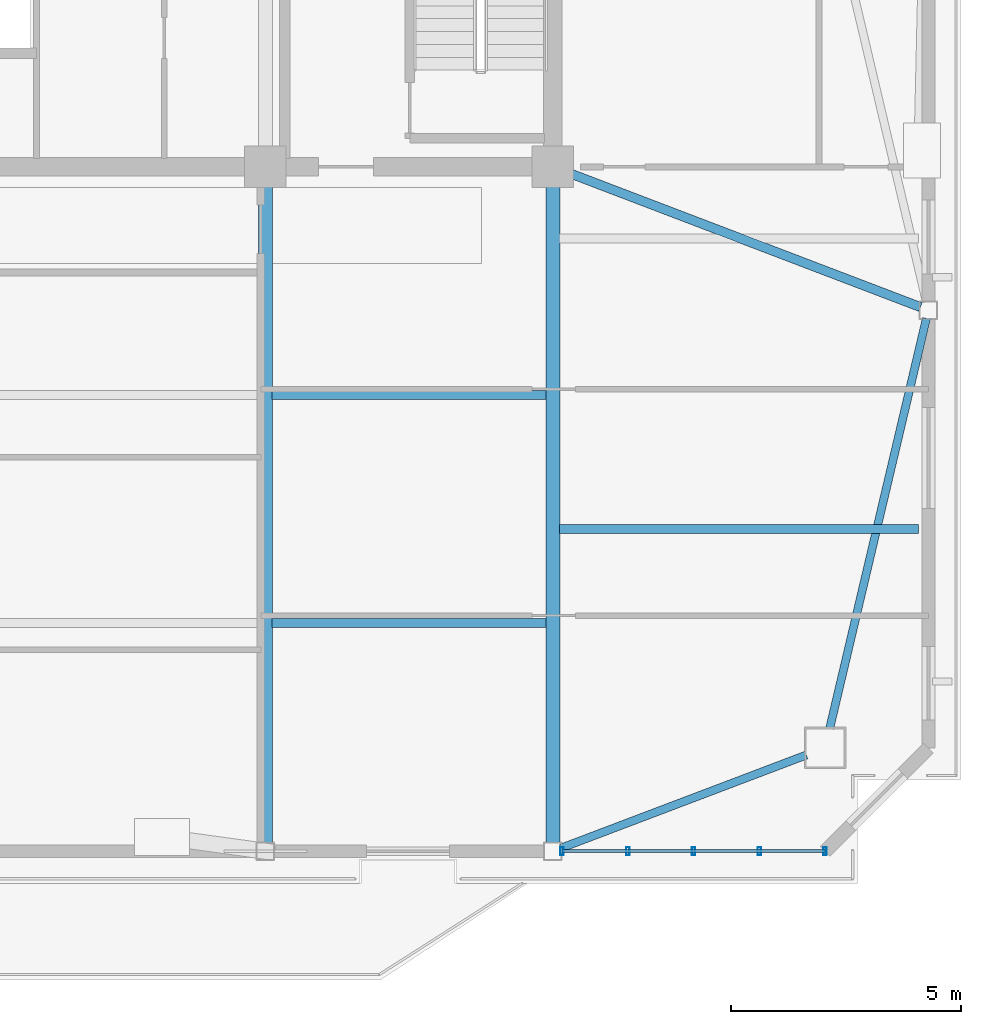
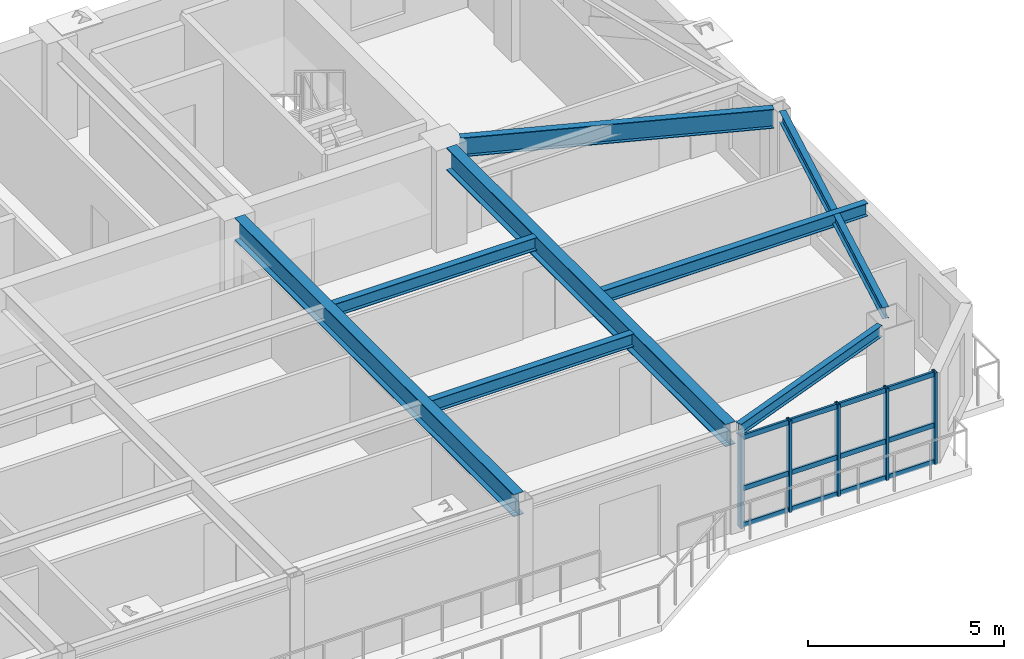
# One storey, part 4 of 13: 8 beams, 8 members, 1 element without a shape of its own.
"""IFC4 building model written with IfcOpenShell, lengths in metres."""

from ifc_helpers import new_model, si_unit, direction, frame, origin, origin_2d, place, context, subcontext, project, spatial, hollow_rectangle, i_section, extrude, source, transform, mapped, material, layer, layer_set, material_profile, profile_set, type_object, element, aggregate, save


model = new_model("IFC4")

# Units and contexts
model_context = context("Model", 3, precision=1e-05, world=origin(), true_north=direction((0.0, 1.0)))
body_context = subcontext(model_context, "Body", "Model", "MODEL_VIEW")
ifc_project = project(units=[si_unit("LENGTHUNIT", "METRE"), si_unit("AREAUNIT", "SQUARE_METRE"), si_unit("VOLUMEUNIT", "CUBIC_METRE"), si_unit("PLANEANGLEUNIT", "RADIAN"), si_unit("MASSUNIT", "GRAM", prefix="KILO")], contexts=[model_context])

# Site, building, storey
site_placement = place(None, origin())
site = spatial("IfcSite", under=ifc_project, at=site_placement, CompositionType="ELEMENT")
building_placement = place(site_placement, origin())
building = spatial("IfcBuilding", under=site, at=building_placement, Name="Giltprow Tower", CompositionType="ELEMENT")
storey_placement = place(building_placement, frame((0.0, 0.0, 335.699951171875)))
storey = spatial("IfcBuildingStorey", under=building, at=storey_placement, Name="L87", CompositionType="ELEMENT", Elevation=335.699951171875)

# Beams
ifc_material_1 = material(Name="Structural steel Q355B", Category="steel")
ifc_material_profile_1 = material_profile(ifc_material_1, i_section(OverallWidth=0.199951171875, OverallDepth=0.39990234375, WebThickness=0.008056640625, FlangeThickness=0.012939453125, at=origin_2d()), Name="HN 400x200x8x13")
ifc_profile_set_1 = profile_set([ifc_material_profile_1], Name="Structural steel Q355B")
beam_type_1 = type_object("IfcBeamType", Name="BM-JOIST-HN400", PredefinedType="JOIST", material=ifc_profile_set_1)
shared_shape_1 = source(origin(), body_context, "Body", "SweptSolid", [
    extrude(i_section(OverallWidth=0.199951171875, OverallDepth=0.39990234375, WebThickness=0.008056640625, FlangeThickness=0.012939453125, at=origin_2d()), origin(), (0.0, 0.0, 1.0), 5.9599609375),
])
for number, where, z_axis, x_axis, name in (
    (1, (44.445068359375, 27.529052734375, 2.985107421875), (1.0, 0.0, 0.0), (0.0, 1.0, 0.0), "L87 Composite Floor Joist 1-4"),
    (2, (44.445068359375, 32.489013671875, 2.985107421875), (1.0, 0.0, 0.0), (0.0, 1.0, 0.0), "L87 Composite Floor Joist 2-4"),
):
    element("IfcBeam", number, at=place(storey_placement, frame(where, z_axis=z_axis, x_axis=x_axis)), inside=storey, type_object=beam_type_1, Name=name, PredefinedType="JOIST", context=body_context, shape_type="MappedRepresentation", body=[
        mapped(shared_shape_1, transform((0.0, 0.0, 0.0), x_axis=(1.0, 0.0, 0.0), y_axis=(0.0, 1.0, 0.0), z_axis=(0.0, 0.0, 1.0), scale=1.0)),
    ])
ifc_material_profile_2 = material_profile(ifc_material_1, i_section(OverallWidth=0.175048828125, OverallDepth=0.35009765625, WebThickness=0.007080078125, FlangeThickness=0.010986328125, at=origin_2d()), Name="HN 350x175x7x11")
ifc_profile_set_2 = profile_set([ifc_material_profile_2], Name="Structural steel Q355B")
beam_type_2 = type_object("IfcBeamType", Name="BM-SPAN-HN350", PredefinedType="SPANDREL", material=ifc_profile_set_2)
shared_shape_2 = source(origin(), body_context, "Body", "SweptSolid", [
    extrude(i_section(OverallWidth=0.175048828125, OverallDepth=0.35009765625, WebThickness=0.007080078125, FlangeThickness=0.010986328125, at=origin_2d()), origin(), (0.0, 0.0, 1.0), 5.71044921875),
])
beam_1_placement = place(storey_placement, frame((50.722900390625, 22.634033203125, 3.010009765625), z_axis=(0.934956945211, 0.354761202221, 0.0), x_axis=(-0.354761202221, 0.934956945211, 0.0)))
element("IfcBeam", 3, at=beam_1_placement, inside=storey, type_object=beam_type_2, Name="L87 Perimeter Spandrel Beam S4-MC_SE", PredefinedType="SPANDREL", context=body_context, shape_type="MappedRepresentation", body=[
    mapped(shared_shape_2, transform((0.0, 0.0, 0.0), x_axis=(1.0, 0.0, 0.0), y_axis=(0.0, 1.0, 0.0), z_axis=(0.0, 0.0, 1.0), scale=1.0)),
])
shared_shape_3 = source(origin(), body_context, "Body", "SweptSolid", [
    extrude(i_section(OverallWidth=0.175048828125, OverallDepth=0.35009765625, WebThickness=0.007080078125, FlangeThickness=0.010986328125, at=origin_2d()), origin(), (0.0, 0.0, 1.0), 9.161865234375),
])
beam_2_placement = place(storey_placement, frame((56.569091796875, 25.237060546875, 3.010009765625), z_axis=(0.22964825006, 0.973273692876, 0.0), x_axis=(-0.973273692876, 0.22964825006, 0.0)))
element("IfcBeam", 4, at=beam_2_placement, inside=storey, type_object=beam_type_2, Name="L87 Perimeter Spandrel Beam MC_SE-E_MID", PredefinedType="SPANDREL", context=body_context, shape_type="MappedRepresentation", body=[
    mapped(shared_shape_3, transform((0.0, 0.0, 0.0), x_axis=(1.0, 0.0, 0.0), y_axis=(0.0, 1.0, 0.0), z_axis=(0.0, 0.0, 1.0), scale=1.0)),
])
ifc_material_profile_3 = material_profile(ifc_material_1, i_section(OverallWidth=0.300048828125, OverallDepth=0.699951171875, WebThickness=0.012939453125, FlangeThickness=0.02392578125, at=origin_2d()), Name="HN 700x300x13x24")
ifc_profile_set_3 = profile_set([ifc_material_profile_3], Name="Structural steel Q355B")
beam_type_3 = type_object("IfcBeamType", Name="BM-GIRD-HN700", PredefinedType="BEAM", material=ifc_profile_set_3)
shared_shape_4 = source(origin(), body_context, "Body", "SweptSolid", [
    extrude(i_section(OverallWidth=0.300048828125, OverallDepth=0.699951171875, WebThickness=0.012939453125, FlangeThickness=0.02392578125, at=origin_2d()), origin(), (0.0, 0.0, 1.0), 14.261962890625),
])
for number, where, z_axis, x_axis, name in (
    (5, (44.300048828125, 22.7529296875, 2.8349609375), (0.0, 1.0, 0.0), (-1.0, 0.0, 0.0), "L87 Primary Lease Girder S3"),
    (6, (50.550048828125, 22.7529296875, 2.8349609375), (0.0, 1.0, 0.0), (-1.0, 0.0, 0.0), "L87 Primary Lease Girder S4"),
):
    element("IfcBeam", number, at=place(storey_placement, frame(where, z_axis=z_axis, x_axis=x_axis)), inside=storey, type_object=beam_type_3, Name=name, PredefinedType="BEAM", context=body_context, shape_type="MappedRepresentation", body=[
        mapped(shared_shape_4, transform((0.0, 0.0, 0.0), x_axis=(1.0, 0.0, 0.0), y_axis=(0.0, 1.0, 0.0), z_axis=(0.0, 0.0, 1.0), scale=1.0)),
    ])
ifc_material_profile_4 = material_profile(ifc_material_1, i_section(OverallWidth=0.199951171875, OverallDepth=0.60009765625, WebThickness=0.010986328125, FlangeThickness=0.01708984375, at=origin_2d()), Name="HN 600x200x11x17")
ifc_profile_set_4 = profile_set([ifc_material_profile_4], Name="Structural steel Q355B")
beam_type_4 = type_object("IfcBeamType", Name="BM-GIRD-HN600", PredefinedType="BEAM", material=ifc_profile_set_4)
shared_shape_5 = source(origin(), body_context, "Body", "SweptSolid", [
    extrude(i_section(OverallWidth=0.199951171875, OverallDepth=0.60009765625, WebThickness=0.010986328125, FlangeThickness=0.01708984375, at=origin_2d()), origin(), (0.0, 0.0, 1.0), 8.11962890625),
])
beam_3_placement = place(storey_placement, frame((58.5419921875, 34.39990234375, 2.885009765625), z_axis=(-0.934277035034, 0.356547923579, 0.0), x_axis=(-0.356547923579, -0.934277035034, 0.0)))
element("IfcBeam", 7, at=beam_3_placement, inside=storey, type_object=beam_type_4, Name="L87 East Wing Primary Girder", PredefinedType="BEAM", context=body_context, shape_type="MappedRepresentation", body=[
    mapped(shared_shape_5, transform((0.0, 0.0, 0.0), x_axis=(1.0, 0.0, 0.0), y_axis=(0.0, 1.0, 0.0), z_axis=(0.0, 0.0, 1.0), scale=1.0)),
])
shared_shape_6 = source(origin(), body_context, "Body", "SweptSolid", [
    extrude(i_section(OverallWidth=0.199951171875, OverallDepth=0.39990234375, WebThickness=0.008056640625, FlangeThickness=0.012939453125, at=origin_2d()), origin(), (0.0, 0.0, 1.0), 7.800048828125),
])
beam_4_placement = place(storey_placement, frame((50.695068359375, 29.573974609375, 2.985107421875), z_axis=(1.0, 0.0, 0.0), x_axis=(0.0, 1.0, 0.0)))
element("IfcBeam", 8, at=beam_4_placement, inside=storey, type_object=beam_type_1, Name="L87 East Wing Floor Joist 1", PredefinedType="JOIST", context=body_context, shape_type="MappedRepresentation", body=[
    mapped(shared_shape_6, transform((0.0, 0.0, 0.0), x_axis=(1.0, 0.0, 0.0), y_axis=(0.0, 1.0, 0.0), z_axis=(0.0, 0.0, 1.0), scale=1.0)),
])

# Curtain wall, members
ifc_material_2 = material(Name="Anodized bronze", Category="metal")
ifc_layer = layer(ifc_material_2, 0.179931640625, Name="Anodized bronze")
ifc_layer_set = layer_set([ifc_layer], Name="Anodized bronze")
curtain_wall_type = type_object("IfcCurtainWallType", Name="CW-RES-SKY", PredefinedType="NOTDEFINED", material=ifc_layer_set)
curtain_wall_placement = place(storey_placement, origin())
curtain_wall = element("IfcCurtainWall", 9, at=curtain_wall_placement, inside=storey, type_object=curtain_wall_type, Name="L87 South Recessed Curtain Wall 6", PredefinedType="NOTDEFINED")
ifc_material_profile_5 = material_profile(ifc_material_2, hollow_rectangle(XDim=0.074951171875, YDim=0.179931640625, WallThickness=0.008056640625, at=origin_2d()), Name="RHS 180x75x8")
ifc_profile_set_5 = profile_set([ifc_material_profile_5], Name="Anodized bronze")
member_type_1 = type_object("IfcMemberType", Name="CW-MULLION-180x75", PredefinedType="MULLION", material=ifc_profile_set_5)
shared_shape_7 = source(origin(), body_context, "Body", "SweptSolid", [
    extrude(hollow_rectangle(XDim=0.074951171875, YDim=0.179931640625, WallThickness=0.008056640625, at=origin_2d()), origin(), (0.0, 0.0, 1.0), 2.8701171875),
])
member_1_placement = place(storey_placement, frame((50.75, 22.568115234375, -0.02001953125), z_axis=(0.0, 0.0, 1.0), x_axis=(1.0, 0.0, 0.0)))
member_1 = element("IfcMember", 10, at=member_1_placement, type_object=member_type_1, Name="L87 South Recessed Curtain Wall 6 Mullion 1", PredefinedType="MULLION", context=body_context, shape_type="MappedRepresentation", body=[
    mapped(shared_shape_7, transform((0.0, 0.0, 0.0), x_axis=(1.0, 0.0, 0.0), y_axis=(0.0, 1.0, 0.0), z_axis=(0.0, 0.0, 1.0), scale=1.0)),
])
member_2_placement = place(storey_placement, frame((52.179931640625, 22.568115234375, -0.02001953125), z_axis=(0.0, 0.0, 1.0), x_axis=(1.0, 0.0, 0.0)))
member_2 = element("IfcMember", 11, at=member_2_placement, type_object=member_type_1, Name="L87 South Recessed Curtain Wall 6 Mullion 2", PredefinedType="MULLION", context=body_context, shape_type="MappedRepresentation", body=[
    mapped(shared_shape_7, transform((0.0, 0.0, 0.0), x_axis=(1.0, 0.0, 0.0), y_axis=(0.0, 1.0, 0.0), z_axis=(0.0, 0.0, 1.0), scale=1.0)),
])
member_3_placement = place(storey_placement, frame((53.60888671875, 22.568115234375, -0.02001953125), z_axis=(0.0, 0.0, 1.0), x_axis=(1.0, 0.0, 0.0)))
member_3 = element("IfcMember", 12, at=member_3_placement, type_object=member_type_1, Name="L87 South Recessed Curtain Wall 6 Mullion 3", PredefinedType="MULLION", context=body_context, shape_type="MappedRepresentation", body=[
    mapped(shared_shape_7, transform((0.0, 0.0, 0.0), x_axis=(1.0, 0.0, 0.0), y_axis=(0.0, 1.0, 0.0), z_axis=(0.0, 0.0, 1.0), scale=1.0)),
])
member_4_placement = place(storey_placement, frame((55.0390625, 22.568115234375, -0.02001953125), z_axis=(0.0, 0.0, 1.0), x_axis=(1.0, 0.0, 0.0)))
member_4 = element("IfcMember", 13, at=member_4_placement, type_object=member_type_1, Name="L87 South Recessed Curtain Wall 6 Mullion 4", PredefinedType="MULLION", context=body_context, shape_type="MappedRepresentation", body=[
    mapped(shared_shape_7, transform((0.0, 0.0, 0.0), x_axis=(1.0, 0.0, 0.0), y_axis=(0.0, 1.0, 0.0), z_axis=(0.0, 0.0, 1.0), scale=1.0)),
])
member_5_placement = place(storey_placement, frame((56.468994140625, 22.568115234375, -0.02001953125), z_axis=(0.0, 0.0, 1.0), x_axis=(1.0, 0.0, 0.0)))
member_5 = element("IfcMember", 14, at=member_5_placement, type_object=member_type_1, Name="L87 South Recessed Curtain Wall 6 Mullion 5", PredefinedType="MULLION", context=body_context, shape_type="MappedRepresentation", body=[
    mapped(shared_shape_7, transform((0.0, 0.0, 0.0), x_axis=(1.0, 0.0, 0.0), y_axis=(0.0, 1.0, 0.0), z_axis=(0.0, 0.0, 1.0), scale=1.0)),
])
ifc_material_profile_6 = material_profile(ifc_material_2, hollow_rectangle(XDim=0.06494140625, YDim=0.14990234375, WallThickness=0.006103515625, at=origin_2d()), Name="RHS 150x65x6")
ifc_profile_set_6 = profile_set([ifc_material_profile_6], Name="Anodized bronze")
member_type_2 = type_object("IfcMemberType", Name="CW-TRANSOM-150x65", PredefinedType="USERDEFINED", material=ifc_profile_set_6)
shared_shape_8 = source(origin(), body_context, "Body", "SweptSolid", [
    extrude(hollow_rectangle(XDim=0.06494140625, YDim=0.14990234375, WallThickness=0.006103515625, at=origin_2d()), origin(), (0.0, 0.0, 1.0), 5.718994140625),
])
member_6_placement = place(storey_placement, frame((50.75, 22.568115234375, 0.0400390625), z_axis=(1.0, 0.0, 0.0), x_axis=(0.0, 1.0, 0.0)))
member_6 = element("IfcMember", 15, at=member_6_placement, type_object=member_type_2, Name="L87 South Recessed Curtain Wall 6 Transom 1", ObjectType="TRANSOM", PredefinedType="USERDEFINED", context=body_context, shape_type="MappedRepresentation", body=[
    mapped(shared_shape_8, transform((0.0, 0.0, 0.0), x_axis=(1.0, 0.0, 0.0), y_axis=(0.0, 1.0, 0.0), z_axis=(0.0, 0.0, 1.0), scale=1.0)),
])
member_7_placement = place(storey_placement, frame((50.75, 22.568115234375, 1.18212890625), z_axis=(1.0, 0.0, 0.0), x_axis=(0.0, 1.0, 0.0)))
member_7 = element("IfcMember", 16, at=member_7_placement, type_object=member_type_2, Name="L87 South Recessed Curtain Wall 6 Transom 2", ObjectType="TRANSOM", PredefinedType="USERDEFINED", context=body_context, shape_type="MappedRepresentation", body=[
    mapped(shared_shape_8, transform((0.0, 0.0, 0.0), x_axis=(1.0, 0.0, 0.0), y_axis=(0.0, 1.0, 0.0), z_axis=(0.0, 0.0, 1.0), scale=1.0)),
])
member_8_placement = place(storey_placement, frame((50.75, 22.568115234375, 2.775146484375), z_axis=(1.0, 0.0, 0.0), x_axis=(0.0, 1.0, 0.0)))
member_8 = element("IfcMember", 17, at=member_8_placement, type_object=member_type_2, Name="L87 South Recessed Curtain Wall 6 Transom 3", ObjectType="TRANSOM", PredefinedType="USERDEFINED", context=body_context, shape_type="MappedRepresentation", body=[
    mapped(shared_shape_8, transform((0.0, 0.0, 0.0), x_axis=(1.0, 0.0, 0.0), y_axis=(0.0, 1.0, 0.0), z_axis=(0.0, 0.0, 1.0), scale=1.0)),
])
aggregate(curtain_wall, [member_1, member_2, member_3, member_4, member_5, member_6, member_7, member_8])

save(model, "model.ifc")
